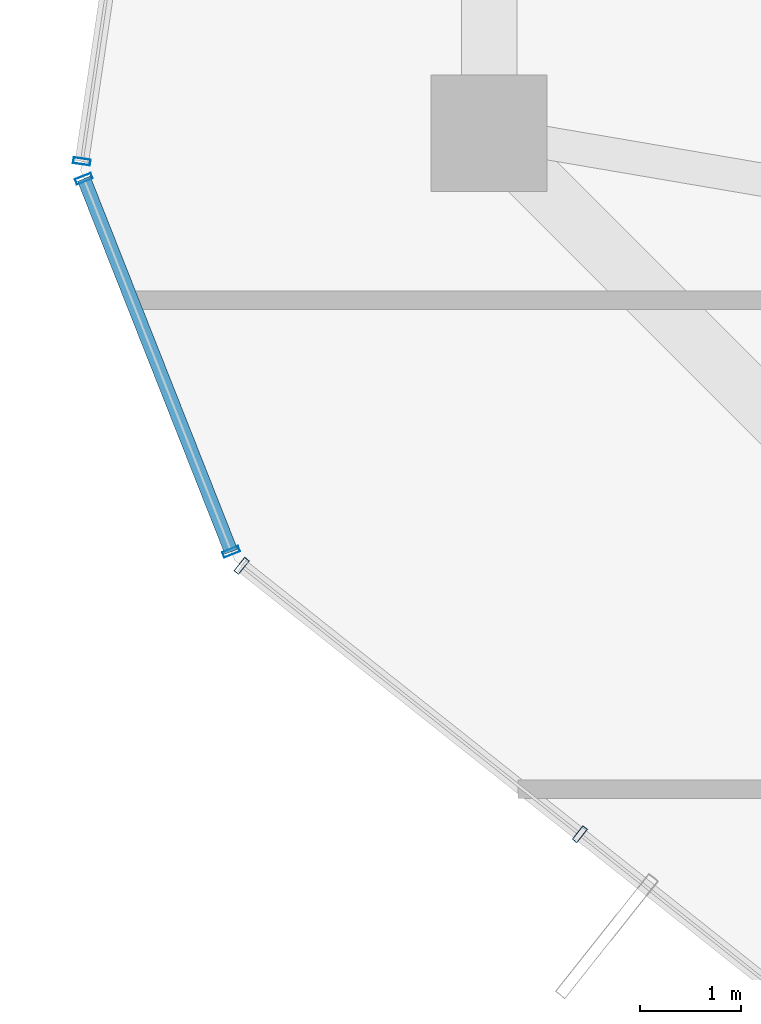
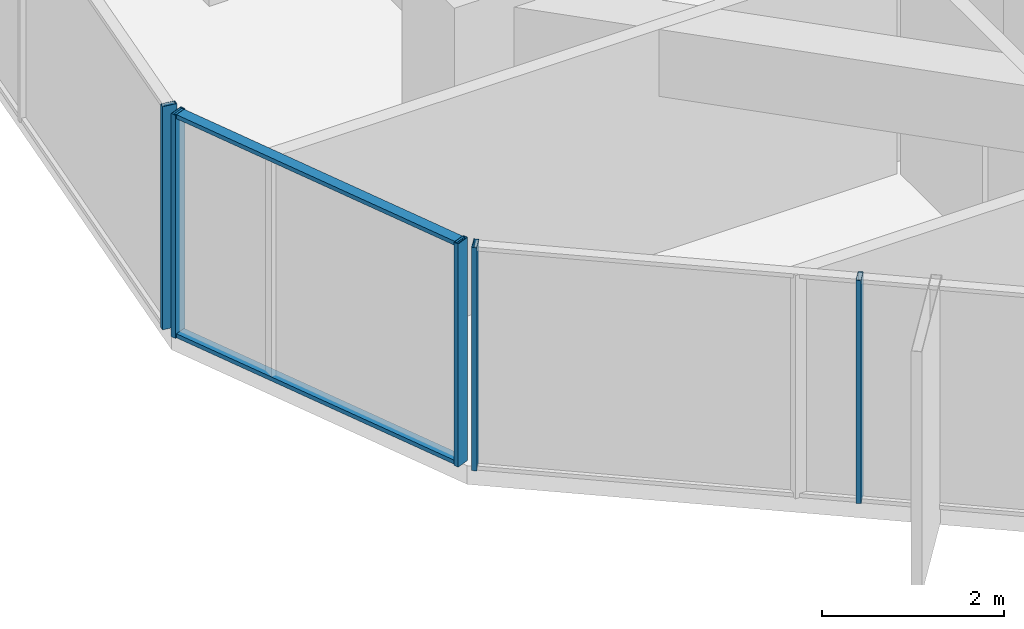
# One storey, part 4 of 29: 7 members, 3 elements without a shape of their own.
"""IFC4 building model written with IfcOpenShell, lengths in metres."""

import ifcopenshell
import ifcopenshell.guid

model = None  # the IFC model being written
_history = None  # IfcOwnerHistory: only IFC2X3 demands one
_inside = {}  # id of a spatial element -> (the spatial element, [elements in it])
_under = {}  # id of a project, library or spatial element -> (it, [spatial elements below it])
_declared = {}  # id of a project -> (the project, [libraries it declares])
_typed = {}  # id of a type object -> (the type object, [elements of that type])
_made_of = {}  # id of a material, layer set ... -> (it, [elements and type objects made of it])


def new_model(schema):
    """Start an empty IFC model of exactly this schema.

    Asked for "IFC4X3", IfcOpenShell would pick the latest addendum, in which some entities
    have other attributes; the version numbers below select the first issue.
    IFC2X3 requires an IfcOwnerHistory on every rooted entity: one is made here for all.
    """
    global model, _history
    if schema == "IFC4X3":
        model = ifcopenshell.file(schema_version=(4, 3, 0, 0))
    else:
        model = ifcopenshell.file(schema=schema)
    _inside.clear()
    _under.clear()
    _declared.clear()
    _typed.clear()
    _made_of.clear()
    _history = None
    if model.schema == "IFC2X3":
        org = make("IfcOrganization", Name="unknown")
        user = make(
            "IfcPersonAndOrganization",
            ThePerson=make("IfcPerson", FamilyName="unknown"),
            TheOrganization=org,
        )
        app = make(
            "IfcApplication",
            ApplicationDeveloper=org,
            Version="unknown",
            ApplicationFullName="unknown",
            ApplicationIdentifier="unknown",
        )
        _history = make(
            "IfcOwnerHistory",
            OwningUser=user,
            OwningApplication=app,
            ChangeAction="ADDED",
            CreationDate=0,
        )
    return model


def make(cls, **values):
    """One entity of the class cls with the attributes given. An attribute that is None is left unset."""
    return model.create_entity(
        cls, **{name: value for name, value in values.items() if value is not None}
    )


def rooted(cls, **values):
    """An entity with a GlobalId (a new one), such as an element, a storey or a relation."""
    return make(cls, GlobalId=ifcopenshell.guid.new(), OwnerHistory=_history, **values)


def si_unit(unit_type, name, prefix=None):
    """IfcSIUnit, for example si_unit("LENGTHUNIT", "METRE", prefix="MILLI")."""
    return make("IfcSIUnit", UnitType=unit_type, Prefix=prefix, Name=name)


def assignment(units):
    """IfcUnitAssignment: the units of a project."""
    return None if units is None else make("IfcUnitAssignment", Units=units)


def point(xyz):
    """IfcCartesianPoint."""
    return None if xyz is None else make("IfcCartesianPoint", Coordinates=xyz)


def direction(xyz):
    """IfcDirection."""
    return None if xyz is None else make("IfcDirection", DirectionRatios=xyz)


def frame(location, z_axis=None, x_axis=None):
    """IfcAxis2Placement3D, a coordinate frame: its origin and axes. An axis left out is left unset."""
    return make(
        "IfcAxis2Placement3D",
        Location=point(location),
        Axis=direction(z_axis),
        RefDirection=direction(x_axis),
    )


def frame_2d(location, x_axis=None):
    """IfcAxis2Placement2D, a coordinate frame in the plane: its origin and x axis."""
    return make(
        "IfcAxis2Placement2D", Location=point(location), RefDirection=direction(x_axis)
    )


def origin():
    """The frame at (0, 0, 0) with its axes left unset."""
    return frame((0.0, 0.0, 0.0))


def origin_2d():
    """The frame at (0, 0) in the plane with its x axis left unset."""
    return frame_2d((0.0, 0.0))


def place(relative_to, where):
    """IfcLocalPlacement: puts the frame where relative to a parent placement (None: the world)."""
    return make(
        "IfcLocalPlacement", PlacementRelTo=relative_to, RelativePlacement=where
    )


def context(
    kind, dimensions, precision=None, world=None, true_north=None, identifier=None
):
    """IfcGeometricRepresentationContext, for example the 3D "Model" context."""
    return make(
        "IfcGeometricRepresentationContext",
        ContextIdentifier=identifier,
        ContextType=kind,
        CoordinateSpaceDimension=dimensions,
        Precision=precision,
        WorldCoordinateSystem=world,
        TrueNorth=true_north,
    )


def subcontext(parent, identifier, kind, view, scale=None):
    """IfcGeometricRepresentationSubContext, for example "Body" below "Model"."""
    return make(
        "IfcGeometricRepresentationSubContext",
        ContextIdentifier=identifier,
        ContextType=kind,
        ParentContext=parent,
        TargetScale=scale,
        TargetView=view,
    )


def project(units=None, contexts=None):
    """IfcProject with its units and contexts."""
    return rooted(
        "IfcProject",
        Name="project",
        RepresentationContexts=contexts,
        UnitsInContext=assignment(units),
    )


def spatial(cls, under=None, at=None, **own):
    """A site, building, storey or space (cls), placed at a placement, below another one or the project."""
    s = rooted(cls, ObjectPlacement=at, **own)
    if under is not None:
        _under.setdefault(under.id(), (under, []))[1].append(s)
    return s


def profile(cls, at=None, kind="AREA", **sizes):
    """A parametric profile (cls). Its sizes go by their IFC names, for example OverallWidth=200.0."""
    return make(cls, ProfileType=kind, Position=at, **sizes)


def hollow_rectangle(**sizes):
    """IfcRectangleHollowProfileDef."""
    return profile("IfcRectangleHollowProfileDef", **sizes)


def extrude(swept, where, along, depth):
    """IfcExtrudedAreaSolid: the profile swept, set in the frame where, extruded along a direction by depth."""
    return make(
        "IfcExtrudedAreaSolid",
        SweptArea=swept,
        Position=where,
        ExtrudedDirection=direction(along),
        Depth=depth,
    )


def shape(context_of_items, identifier, shape_type, items):
    """IfcShapeRepresentation: the items that make up one representation, for example the "Body"."""
    return make(
        "IfcShapeRepresentation",
        ContextOfItems=context_of_items,
        RepresentationIdentifier=identifier,
        RepresentationType=shape_type,
        Items=items,
    )


def source(mapping_origin, context_of_items, identifier, shape_type, items):
    """IfcRepresentationMap: a shape defined once, which mapped items show again and again."""
    return make(
        "IfcRepresentationMap",
        MappingOrigin=mapping_origin,
        MappedRepresentation=shape(context_of_items, identifier, shape_type, items),
    )


def transform(
    local_origin,
    x_axis=None,
    y_axis=None,
    z_axis=None,
    scale=None,
    scale2=None,
    scale3=None,
    uniform=True,
):
    """IfcCartesianTransformationOperator3D, or its non-uniform kind. x_axis, y_axis, z_axis: its Axis1, 2, 3."""
    if uniform:
        return make(
            "IfcCartesianTransformationOperator3D",
            Axis1=direction(x_axis),
            Axis2=direction(y_axis),
            LocalOrigin=point(local_origin),
            Scale=scale,
            Axis3=direction(z_axis),
        )
    return make(
        "IfcCartesianTransformationOperator3DnonUniform",
        Axis1=direction(x_axis),
        Axis2=direction(y_axis),
        LocalOrigin=point(local_origin),
        Scale=scale,
        Axis3=direction(z_axis),
        Scale2=scale2,
        Scale3=scale3,
    )


def mapped(mapping_source, mapping_target):
    """IfcMappedItem: shows the shape of a source again, moved by a transform."""
    return make(
        "IfcMappedItem", MappingSource=mapping_source, MappingTarget=mapping_target
    )


def material(Name=None, Category=None):
    """IfcMaterial."""
    return make("IfcMaterial", Name=Name, Category=Category)


def layer(
    of_material, thickness, ventilated=None, Name=None, Category=None, Priority=None
):
    """IfcMaterialLayer: one layer of a wall or slab, of a material (None: an air gap)."""
    return make(
        "IfcMaterialLayer",
        Material=of_material,
        LayerThickness=thickness,
        IsVentilated=ventilated,
        Name=Name,
        Category=Category,
        Priority=Priority,
    )


def layer_set(layers, Name=None):
    """IfcMaterialLayerSet."""
    return make("IfcMaterialLayerSet", MaterialLayers=layers, LayerSetName=Name)


def material_profile(
    of_material, cross_section, Name=None, Category=None, Priority=None
):
    """IfcMaterialProfile: a cross section and its material."""
    return make(
        "IfcMaterialProfile",
        Name=Name,
        Material=of_material,
        Profile=cross_section,
        Priority=Priority,
        Category=Category,
    )


def profile_set(profiles, Name=None, composite=None):
    """IfcMaterialProfileSet."""
    return make(
        "IfcMaterialProfileSet",
        Name=Name,
        MaterialProfiles=profiles,
        CompositeProfile=composite,
    )


def made_of(thing, what):
    """Note that an element or type object is made of a material, layer set ...; save() writes the relation."""
    if what is not None:
        _made_of.setdefault(what.id(), (what, []))[1].append(thing)
    return thing


def type_object(cls, material=None, **own):
    """A type object (cls), such as IfcWallType, which elements share."""
    return made_of(rooted(cls, **own), material)


def element(
    cls,
    number,
    at=None,
    inside=None,
    cuts=None,
    type_object=None,
    material=None,
    context=None,
    identifier="Body",
    shape_type=None,
    held_by="IfcProductDefinitionShape",
    body=None,
    shapes=None,
    **own,
):
    """One element of the class cls, such as IfcWall. Its Tag is "e" and its number.

    at: its placement. inside: the storey or other place that contains it. cuts: it is an
    opening in that element (IfcRelVoidsElement). A single representation is given by context,
    identifier, shape_type and body (its items); several are given by shapes. held_by: the class
    of the entity that holds the representations. save() writes the other relations.
    """
    e = rooted(cls, Tag="e%d" % number, ObjectPlacement=at, **own)
    if body is not None:
        shapes = [shape(context, identifier, shape_type, body)]
    if shapes is not None:
        e.Representation = make(held_by, Representations=shapes)
    if inside is not None:
        _inside.setdefault(inside.id(), (inside, []))[1].append(e)
    if cuts is not None:
        rooted(
            "IfcRelVoidsElement", RelatingBuildingElement=cuts, RelatedOpeningElement=e
        )
    if type_object is not None:
        _typed.setdefault(type_object.id(), (type_object, []))[1].append(e)
    return made_of(e, material)


def aggregate(whole, parts):
    """IfcRelAggregates: a whole, such as a stair, and the parts it consists of."""
    return rooted("IfcRelAggregates", RelatingObject=whole, RelatedObjects=parts)


def save(model, path):
    """Write the relations noted so far, then the file.

    IfcRelAggregates (storeys below a building ...), IfcRelContainedInSpatialStructure (elements
    in a storey), IfcRelDefinesByType, IfcRelAssociatesMaterial and IfcRelDeclares: one each for
    every whole, place, type object, material and project.
    """
    for whole, parts in _under.values():
        aggregate(whole, parts)
    for where, things in _inside.values():
        rooted(
            "IfcRelContainedInSpatialStructure",
            RelatedElements=things,
            RelatingStructure=where,
        )
    for kind, things in _typed.values():
        rooted("IfcRelDefinesByType", RelatedObjects=things, RelatingType=kind)
    for what, things in _made_of.values():
        rooted("IfcRelAssociatesMaterial", RelatedObjects=things, RelatingMaterial=what)
    for by, libraries in _declared.values():
        rooted("IfcRelDeclares", RelatingContext=by, RelatedDefinitions=libraries)
    model.write(path)


model = new_model("IFC4")

# Units and contexts
model_context = context("Model", 3, precision=1e-05, world=origin(), true_north=direction((0.0, 1.0)))
body_context = subcontext(model_context, "Body", "Model", "MODEL_VIEW")
ifc_project = project(units=[si_unit("LENGTHUNIT", "METRE"), si_unit("AREAUNIT", "SQUARE_METRE"), si_unit("VOLUMEUNIT", "CUBIC_METRE"), si_unit("PLANEANGLEUNIT", "RADIAN"), si_unit("MASSUNIT", "GRAM", prefix="KILO")], contexts=[model_context])

# Site, building, storey
site_placement = place(None, origin())
site = spatial("IfcSite", under=ifc_project, at=site_placement, CompositionType="ELEMENT")
building_placement = place(site_placement, origin())
building = spatial("IfcBuilding", under=site, at=building_placement, Name="Veraguas Prism Commons", CompositionType="ELEMENT")
storey_placement = place(building_placement, frame((0.0, 0.0, 99.199951171875)))
storey = spatial("IfcBuildingStorey", under=building, at=storey_placement, Name="L27", CompositionType="ELEMENT", Elevation=99.199951171875)

# Curtain wall, member
ifc_material = material(Name="Anodised aluminium EN AW-6063 T6", Category="aluminium")
ifc_layer = layer(ifc_material, 0.169921875, Name="Unitised Flush Curtain Wall Zone 2", Category="aluminium")
ifc_layer_set = layer_set([ifc_layer], Name="Anodised aluminium EN AW-6063 T6")
curtain_wall_type = type_object("IfcCurtainWallType", Name="Unitised Flush Curtain Wall Zone 2", PredefinedType="NOTDEFINED", material=ifc_layer_set)
curtain_wall_1_placement = place(storey_placement, origin())
curtain_wall_1 = element("IfcCurtainWall", 1, at=curtain_wall_1_placement, inside=storey, type_object=curtain_wall_type, Name="Tower Facade Curtain Wall L27-F3", PredefinedType="NOTDEFINED")
ifc_material_profile_1 = material_profile(ifc_material, hollow_rectangle(XDim=0.06005859375, YDim=0.169921875, WallThickness=0.00390625, at=origin_2d()), Name="AL60X170X4")
ifc_profile_set_1 = profile_set([ifc_material_profile_1], Name="Anodised aluminium EN AW-6063 T6")
member_type_1 = type_object("IfcMemberType", Name="Curtain Wall Mullion Lower AL 60x170x4", PredefinedType="MULLION", material=ifc_profile_set_1)
shared_shape_1 = source(origin(), body_context, "Body", "SweptSolid", [
    extrude(hollow_rectangle(XDim=0.06005859375, YDim=0.169921875, WallThickness=0.00390625, at=origin_2d()), origin(), (0.0, 0.0, 1.0), 3.0),
])
member_1_placement = place(storey_placement, frame((3.764892578125, 18.3212890625, 0.0), z_axis=(0.0, 0.0, 1.0), x_axis=(-0.146777088137, -0.989169594356, 0.0)))
member_1 = element("IfcMember", 2, at=member_1_placement, type_object=member_type_1, Name="CW-Z2 Mullion 5", PredefinedType="MULLION", context=body_context, shape_type="MappedRepresentation", body=[
    mapped(shared_shape_1, transform((0.0, 0.0, 0.0), scale=1.0)),
])
aggregate(curtain_wall_1, [member_1])

# Curtain wall, members
curtain_wall_2_placement = place(storey_placement, origin())
curtain_wall_2 = element("IfcCurtainWall", 3, at=curtain_wall_2_placement, inside=storey, type_object=curtain_wall_type, Name="Tower Facade Curtain Wall L27-F4", PredefinedType="NOTDEFINED")
member_2_placement = place(storey_placement, frame((5.348388671875, 14.313720703125, 0.0), z_axis=(0.0, 0.0, 1.0), x_axis=(0.783260708484, -0.621693383063, 0.0)))
member_2 = element("IfcMember", 4, at=member_2_placement, type_object=member_type_1, Name="CW-Z2 Mullion 1", PredefinedType="MULLION", context=body_context, shape_type="MappedRepresentation", body=[
    mapped(shared_shape_1, transform((0.0, 0.0, 0.0), scale=1.0)),
])
member_3_placement = place(storey_placement, frame((8.69970703125, 11.65380859375, 0.0), z_axis=(0.0, 0.0, 1.0), x_axis=(0.783260708484, -0.621693383063, 0.0)))
member_3 = element("IfcMember", 5, at=member_3_placement, type_object=member_type_1, Name="CW-Z2 Mullion 2", PredefinedType="MULLION", context=body_context, shape_type="MappedRepresentation", body=[
    mapped(shared_shape_1, transform((0.0, 0.0, 0.0), scale=1.0)),
])
aggregate(curtain_wall_2, [member_2, member_3])

curtain_wall_3_placement = place(storey_placement, origin())
curtain_wall_3 = element("IfcCurtainWall", 6, at=curtain_wall_3_placement, inside=storey, type_object=curtain_wall_type, Name="Chamfer Curtain Wall L27-C4", PredefinedType="NOTDEFINED")
member_4_placement = place(storey_placement, frame((3.78466796875, 18.148681640625, 0.0), z_axis=(0.0, 0.0, 1.0), x_axis=(0.367498081478, -0.930024279312, 0.0)))
member_4 = element("IfcMember", 7, at=member_4_placement, type_object=member_type_1, Name="CW-Z2 Mullion 1", PredefinedType="MULLION", context=body_context, shape_type="MappedRepresentation", body=[
    mapped(shared_shape_1, transform((0.0, 0.0, 0.0), scale=1.0)),
])
member_5_placement = place(storey_placement, frame((5.244873046875, 14.453369140625, 0.0), z_axis=(0.0, 0.0, 1.0), x_axis=(0.367498081478, -0.930024279312, 0.0)))
member_5 = element("IfcMember", 8, at=member_5_placement, type_object=member_type_1, Name="CW-Z2 Mullion 2", PredefinedType="MULLION", context=body_context, shape_type="MappedRepresentation", body=[
    mapped(shared_shape_1, transform((0.0, 0.0, 0.0), scale=1.0)),
])
ifc_material_profile_2 = material_profile(ifc_material, hollow_rectangle(XDim=0.054931640625, YDim=0.135009765625, WallThickness=0.0029296875, at=origin_2d()), Name="AL55X135X3")
ifc_profile_set_2 = profile_set([ifc_material_profile_2], Name="Anodised aluminium EN AW-6063 T6")
member_type_2 = type_object("IfcMemberType", Name="Curtain Wall Transom Standard AL 55x135x3", PredefinedType="USERDEFINED", material=ifc_profile_set_2)
shared_shape_2 = source(origin(), body_context, "Body", "SweptSolid", [
    extrude(hollow_rectangle(XDim=0.054931640625, YDim=0.135009765625, WallThickness=0.0029296875, at=origin_2d()), origin(), (0.0, 0.0, 1.0), 3.973388671875),
])
member_6_placement = place(storey_placement, frame((3.78466796875, 18.148681640625, 0.027587890625), z_axis=(0.36749946743, -0.930023731654, 0.0), x_axis=(0.0, 0.0, 1.0)))
member_6 = element("IfcMember", 9, at=member_6_placement, type_object=member_type_2, Name="CW-Z2 Transom 1", ObjectType="TRANSOM", PredefinedType="USERDEFINED", context=body_context, shape_type="MappedRepresentation", body=[
    mapped(shared_shape_2, transform((0.0, 0.0, 0.0), scale=1.0)),
])
member_7_placement = place(storey_placement, frame((3.78466796875, 18.148681640625, 2.97265625), z_axis=(0.36749946743, -0.930023731654, 0.0), x_axis=(0.0, 0.0, 1.0)))
member_7 = element("IfcMember", 10, at=member_7_placement, type_object=member_type_2, Name="CW-Z2 Transom 2", ObjectType="TRANSOM", PredefinedType="USERDEFINED", context=body_context, shape_type="MappedRepresentation", body=[
    mapped(shared_shape_2, transform((0.0, 0.0, 0.0), scale=1.0)),
])
aggregate(curtain_wall_3, [member_4, member_5, member_6, member_7])

save(model, "model.ifc")
